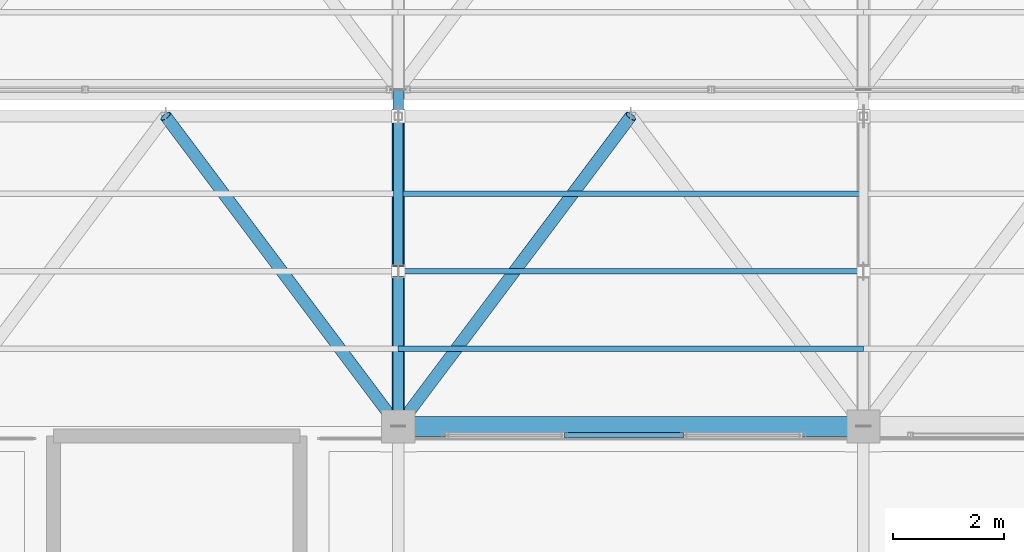
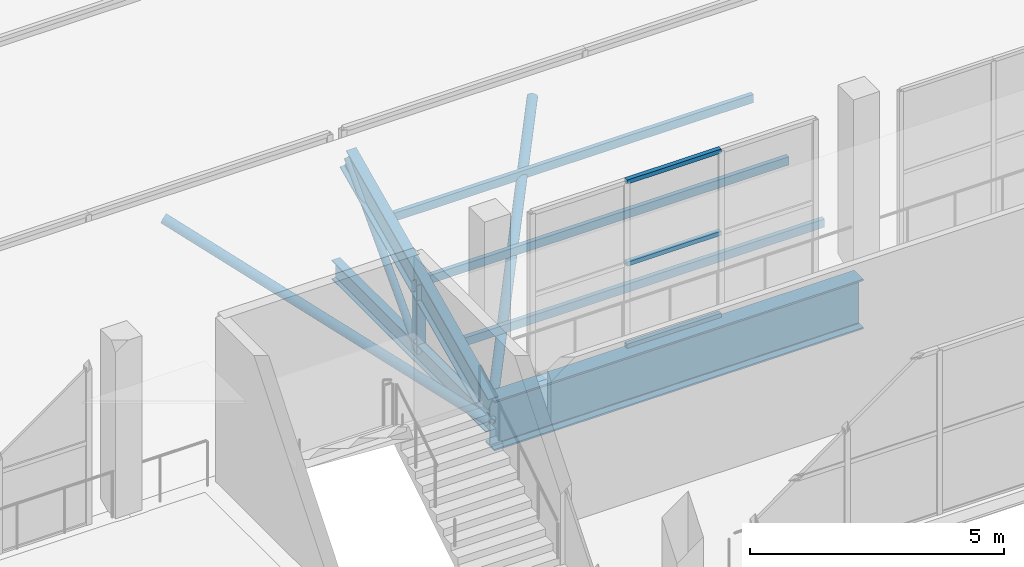
# One storey, part 82 of 217: 12 members, 1 beam, 1 element without a shape of its own.
"""IFC4 building model written with IfcOpenShell, lengths in metres."""

from ifc_helpers import new_model, si_unit, direction, frame, origin, origin_2d, place, context, subcontext, project, spatial, hollow_rectangle, hollow_circle, i_section, extrude, material, material_profile, profile_set, type_object, element, aggregate, save


model = new_model("IFC4")

# Units and contexts
model_context = context("Model", 3, precision=1e-05, world=origin(), true_north=direction((0.0, 1.0)))
body_context = subcontext(model_context, "Body", "Model", "MODEL_VIEW")
ifc_project = project(units=[si_unit("LENGTHUNIT", "METRE"), si_unit("AREAUNIT", "SQUARE_METRE"), si_unit("VOLUMEUNIT", "CUBIC_METRE"), si_unit("PLANEANGLEUNIT", "RADIAN"), si_unit("MASSUNIT", "GRAM", prefix="KILO")], contexts=[model_context])

# Site, building, storey
site_placement = place(None, origin())
site = spatial("IfcSite", under=ifc_project, at=site_placement, CompositionType="ELEMENT")
building_placement = place(site_placement, origin())
building = spatial("IfcBuilding", under=site, at=building_placement, Name="Zuvorla Pavilion Media Centre", CompositionType="ELEMENT")
storey_placement = place(building_placement, frame((0.0, 0.0, 9.60009765625)))
storey = spatial("IfcBuildingStorey", under=building, at=storey_placement, Name="L02", CompositionType="ELEMENT", Elevation=9.60009765625)

# Beam
ifc_material_1 = material(Name="Steel S355", Category="steel")
ifc_material_profile_1 = material_profile(ifc_material_1, i_section(OverallWidth=0.360107421875, OverallDepth=1.199951171875, WebThickness=0.02001953125, FlangeThickness=0.0380859375, FilletRadius=0.02392578125, at=origin_2d()), Name="PG 1200x360x38")
ifc_profile_set_1 = profile_set([ifc_material_profile_1], Name="Steel S355")
beam_type = type_object("IfcBeamType", Name="BM-PG1200", PredefinedType="BEAM", material=ifc_profile_set_1)
beam_placement = place(storey_placement, frame((100.39990234375, 89.60009765625, -0.88818359375), z_axis=(1.0, 0.0, 0.0), x_axis=(0.0, 1.0, 0.0)))
element("IfcBeam", 1, at=beam_placement, inside=storey, type_object=beam_type, Name="L02 beam B01 1781", PredefinedType="BEAM", context=body_context, shape_type="SweptSolid", body=[
    extrude(i_section(OverallWidth=0.360107421875, OverallDepth=1.199951171875, WebThickness=0.02001953125, FlangeThickness=0.0380859375, FilletRadius=0.02392578125, at=origin_2d()), origin(), (0.0, 0.0, 1.0), 8.400146484375),
])

# Curtain wall, members
ifc_material_2 = material(Name="Unitised anodised aluminium and solar glass curtain wall", Category="aluminium")
curtain_wall_type = type_object("IfcCurtainWallType", Name="CW-SYS-13", PredefinedType="USERDEFINED", material=ifc_material_2)
curtain_wall_placement = place(storey_placement, origin())
curtain_wall = element("IfcCurtainWall", 2, at=curtain_wall_placement, inside=storey, type_object=curtain_wall_type, Name="L02 curtain wall CW13 18", ObjectType="CURTAIN WALL", PredefinedType="USERDEFINED")
ifc_material_3 = material(Name="Anodised aluminium 6063-T6", Category="aluminium")
ifc_material_profile_2 = material_profile(ifc_material_3, hollow_rectangle(XDim=0.10009765625, YDim=0.10009765625, WallThickness=0.00439453125, at=origin_2d()), Name="ALU TRAN 100x100")
ifc_profile_set_2 = profile_set([ifc_material_profile_2], Name="Anodised aluminium 6063-T6")
member_type_1 = type_object("IfcMemberType", Name="CW-TRAN-100", PredefinedType="USERDEFINED", material=ifc_profile_set_2)
member_1_placement = place(storey_placement, frame((105.548095703125, 89.43994140625, 0.0), z_axis=(-1.0, 0.0, 0.0), x_axis=(0.0, -1.0, 0.0)))
member_1 = element("IfcMember", 3, at=member_1_placement, type_object=member_type_1, Name="CW13 transom 2.1", ObjectType="TRANSOM", PredefinedType="USERDEFINED", context=body_context, shape_type="SweptSolid", body=[
    extrude(hollow_rectangle(XDim=0.10009765625, YDim=0.10009765625, WallThickness=0.00439453125, at=origin_2d()), origin(), (0.0, 0.0, 1.0), 2.14892578125),
])
member_2_placement = place(storey_placement, frame((105.548095703125, 89.43994140625, 1.974853515625), z_axis=(-1.0, 0.0, 0.0), x_axis=(0.0, -1.0, 0.0)))
member_2 = element("IfcMember", 4, at=member_2_placement, type_object=member_type_1, Name="CW13 transom 2.2", ObjectType="TRANSOM", PredefinedType="USERDEFINED", context=body_context, shape_type="SweptSolid", body=[
    extrude(hollow_rectangle(XDim=0.10009765625, YDim=0.10009765625, WallThickness=0.00439453125, at=origin_2d()), origin(), (0.0, 0.0, 1.0), 2.14892578125),
])
member_3_placement = place(storey_placement, frame((105.548095703125, 89.43994140625, 3.949951171875), z_axis=(-1.0, 0.0, 0.0), x_axis=(0.0, -1.0, 0.0)))
member_3 = element("IfcMember", 5, at=member_3_placement, type_object=member_type_1, Name="CW13 transom 2.3", ObjectType="TRANSOM", PredefinedType="USERDEFINED", context=body_context, shape_type="SweptSolid", body=[
    extrude(hollow_rectangle(XDim=0.10009765625, YDim=0.10009765625, WallThickness=0.00439453125, at=origin_2d()), origin(), (0.0, 0.0, 1.0), 2.14892578125),
])
aggregate(curtain_wall, [member_1, member_2, member_3])

# Members
ifc_material_profile_3 = material_profile(ifc_material_1, hollow_circle(Radius=0.084228515625, WallThickness=0.008056640625, at=origin_2d()), Name="CHS 168.3x8")
ifc_profile_set_3 = profile_set([ifc_material_profile_3], Name="Steel S355")
member_type_2 = type_object("IfcMemberType", Name="MEM-BRC-CHS168", PredefinedType="BRACE", material=ifc_profile_set_3)
member_4_placement = place(storey_placement, frame((100.39990234375, 92.39990234375, -0.880126953125), z_axis=(0.0, 0.68676242614, 0.726881950555), x_axis=(-1.0, 0.0, 0.0)))
element("IfcMember", 6, at=member_4_placement, inside=storey, type_object=member_type_2, Name="L02 diagonal brace TB03 56", PredefinedType="BRACE", context=body_context, shape_type="SweptSolid", body=[
    extrude(hollow_circle(Radius=0.084228515625, WallThickness=0.008056640625, at=origin_2d()), origin(), (0.0, 0.0, 1.0), 4.0771484375),
])
ifc_material_profile_4 = material_profile(ifc_material_1, hollow_circle(Radius=0.109619140625, WallThickness=0.010009765625, at=origin_2d()), Name="CHS 219.1x10")
ifc_profile_set_4 = profile_set([ifc_material_profile_4], Name="Steel S355")
member_type_3 = type_object("IfcMemberType", Name="MEM-BRC-CHS219", PredefinedType="BRACE", material=ifc_profile_set_4)
member_5_placement = place(storey_placement, frame((96.199951171875, 95.199951171875, 2.08349609375), z_axis=(0.552524670006, -0.736688854033, -0.389879495972), x_axis=(0.799995814625, 0.600005580459, 0.0)))
element("IfcMember", 7, at=member_5_placement, inside=storey, type_object=member_type_3, Name="L02 diagonal brace TB02 98", PredefinedType="BRACE", context=body_context, shape_type="SweptSolid", body=[
    extrude(hollow_circle(Radius=0.109619140625, WallThickness=0.010009765625, at=origin_2d()), origin(), (0.0, 0.0, 1.0), 7.601318359375),
])
member_6_placement = place(storey_placement, frame((100.39990234375, 89.60009765625, -0.880126953125), z_axis=(0.552546982264, 0.73667578076, 0.389872577174), x_axis=(-0.799979073174, 0.600027901421, 0.0)))
element("IfcMember", 8, at=member_6_placement, inside=storey, type_object=member_type_3, Name="L02 diagonal brace TB02 103", PredefinedType="BRACE", context=body_context, shape_type="SweptSolid", body=[
    extrude(hollow_circle(Radius=0.109619140625, WallThickness=0.010009765625, at=origin_2d()), origin(), (0.0, 0.0, 1.0), 7.6015625),
])
ifc_material_profile_5 = material_profile(ifc_material_1, i_section(OverallWidth=0.19140625, OverallDepth=0.4599609375, WebThickness=0.010009765625, FlangeThickness=0.01611328125, FilletRadius=0.01025390625, at=origin_2d()), Name="UB 457x191x82")
ifc_profile_set_5 = profile_set([ifc_material_profile_5], Name="Steel S355")
member_type_4 = type_object("IfcMemberType", Name="MEM-CHD-UB457", PredefinedType="CHORD", material=ifc_profile_set_5)
member_7_placement = place(storey_placement, frame((100.39990234375, 89.60009765625, -0.880126953125), z_axis=(0.0, 1.0, 0.0), x_axis=(-1.0, 0.0, 0.0)))
element("IfcMember", 9, at=member_7_placement, inside=storey, type_object=member_type_4, Name="L02 chord TC03 53", PredefinedType="CHORD", context=body_context, shape_type="SweptSolid", body=[
    extrude(i_section(OverallWidth=0.19140625, OverallDepth=0.4599609375, WebThickness=0.010009765625, FlangeThickness=0.01611328125, FilletRadius=0.01025390625, at=origin_2d()), origin(), (0.0, 0.0, 1.0), 6.079833984375),
])
ifc_material_profile_6 = material_profile(ifc_material_1, i_section(OverallWidth=0.22900390625, OverallDepth=0.6123046875, WebThickness=0.011962890625, FlangeThickness=0.01953125, FilletRadius=0.0126953125, at=origin_2d()), Name="UB 610x229x125")
ifc_profile_set_6 = profile_set([ifc_material_profile_6], Name="Steel S355")
member_type_5 = type_object("IfcMemberType", Name="MEM-CHD-UB610", PredefinedType="CHORD", material=ifc_profile_set_6)
member_8_placement = place(storey_placement, frame((100.39990234375, 89.60009765625, -0.5166015625), z_axis=(0.0, 0.906998718654, 0.421133380724), x_axis=(-1.0, 0.0, 0.0)))
element("IfcMember", 10, at=member_8_placement, inside=storey, type_object=member_type_5, Name="L02 chord TC01 54", PredefinedType="CHORD", context=body_context, shape_type="SweptSolid", body=[
    extrude(i_section(OverallWidth=0.22900390625, OverallDepth=0.6123046875, WebThickness=0.011962890625, FlangeThickness=0.01953125, FilletRadius=0.0126953125, at=origin_2d()), origin(), (0.0, 0.0, 1.0), 6.174072265625),
])
ifc_material_profile_7 = material_profile(ifc_material_1, hollow_rectangle(XDim=0.10009765625, YDim=0.199951171875, WallThickness=0.008056640625, at=origin_2d()), Name="RHS 200x100x8")
ifc_profile_set_7 = profile_set([ifc_material_profile_7], Name="Steel S355")
member_type_6 = type_object("IfcMemberType", Name="MEM-PUR-RHS200", PredefinedType="PURLIN", material=ifc_profile_set_7)
for number, where, z_axis, x_axis, name in (
    (11, (100.39990234375, 91.0, 0.133544921875), (1.0, 0.0, 0.0), (0.0, 1.0, 0.0), "L02 purlin PR01 105"),
    (12, (100.39990234375, 92.39990234375, 0.783447265625), (1.0, 0.0, 0.0), (0.0, 1.0, 0.0), "L02 purlin PR01 106"),
    (13, (100.39990234375, 93.800048828125, 1.43359375), (1.0, 0.0, 0.0), (0.0, 1.0, 0.0), "L02 purlin PR01 107"),
):
    element("IfcMember", number, at=place(storey_placement, frame(where, z_axis=z_axis, x_axis=x_axis)), inside=storey, type_object=member_type_6, Name=name, PredefinedType="PURLIN", context=body_context, shape_type="SweptSolid", body=[
        extrude(hollow_rectangle(XDim=0.10009765625, YDim=0.199951171875, WallThickness=0.008056640625, at=origin_2d()), origin(), (0.0, 0.0, 1.0), 8.400146484375),
    ])
ifc_material_profile_8 = material_profile(ifc_material_1, i_section(OverallWidth=0.205810546875, OverallDepth=0.209716796875, WebThickness=0.009521484375, FlangeThickness=0.01416015625, FilletRadius=0.01025390625, at=origin_2d()), Name="UC 203x203x60")
ifc_profile_set_8 = profile_set([ifc_material_profile_8], Name="Steel S355")
member_type_7 = type_object("IfcMemberType", Name="MEM-STR-UC203", PredefinedType="STRUT", material=ifc_profile_set_8)
member_9_placement = place(storey_placement, frame((100.39990234375, 92.39990234375, -0.880126953125), z_axis=(0.0, 0.0, 1.0), x_axis=(1.0, 0.0, 0.0)))
element("IfcMember", 14, at=member_9_placement, inside=storey, type_object=member_type_7, Name="L02 vertical strut TS02 57", PredefinedType="STRUT", context=body_context, shape_type="SweptSolid", body=[
    extrude(i_section(OverallWidth=0.205810546875, OverallDepth=0.209716796875, WebThickness=0.009521484375, FlangeThickness=0.01416015625, FilletRadius=0.01025390625, at=origin_2d()), origin(), (0.0, 0.0, 1.0), 1.66357421875),
])

save(model, "model.ifc")
